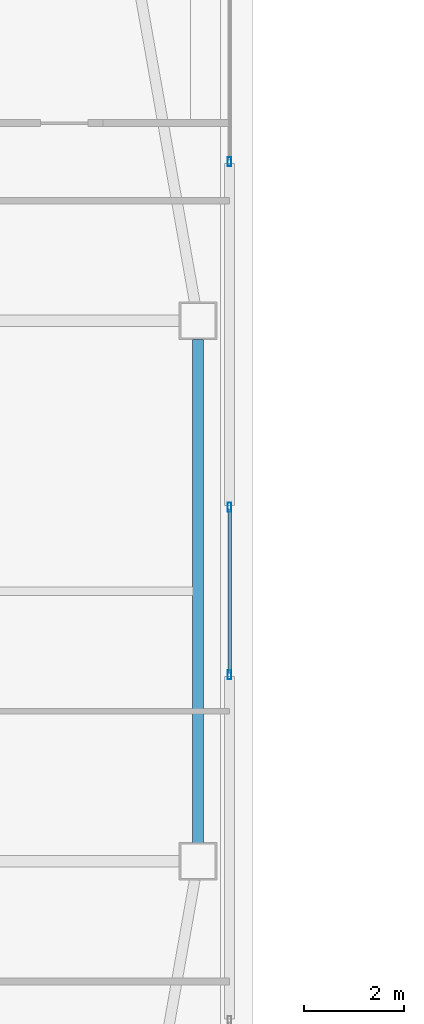
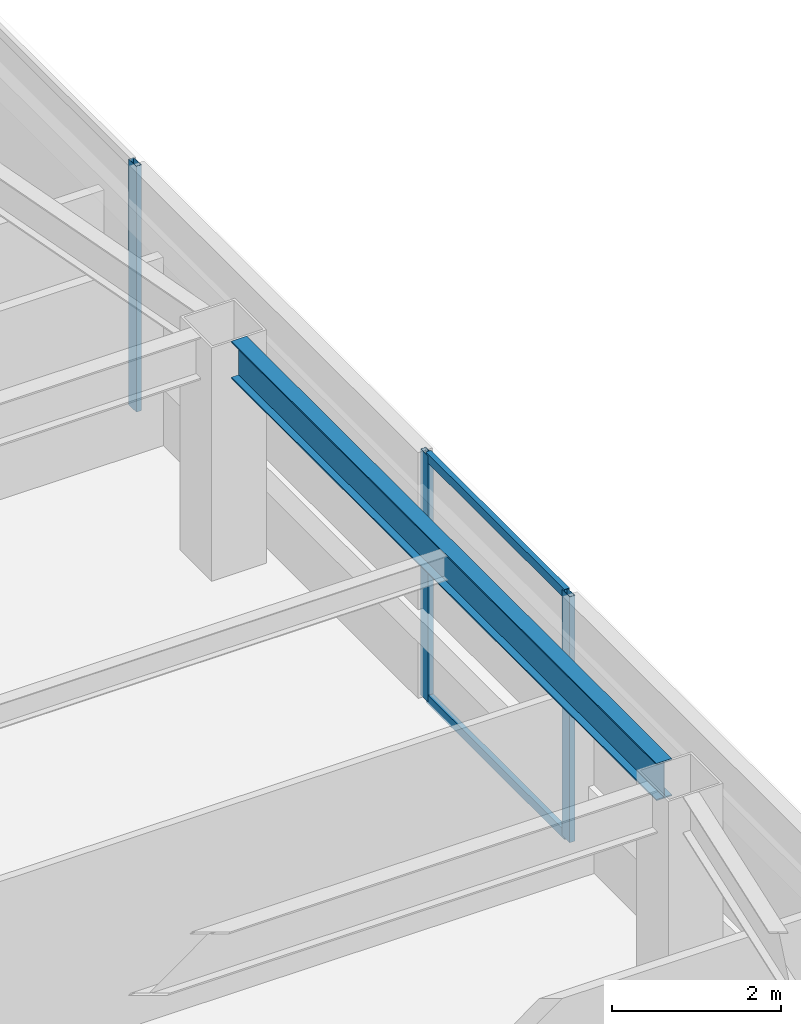
# One storey, part 12 of 44: 5 members, 1 beam, 2 elements without a shape of their own.
"""IFC4 building model written with IfcOpenShell, lengths in metres."""

from ifc_helpers import new_model, si_unit, direction, frame, origin, origin_2d, place, context, subcontext, project, spatial, hollow_rectangle, i_section, extrude, material, material_profile, profile_set, type_object, element, aggregate, save


model = new_model("IFC4")

# Units and contexts
model_context = context("Model", 3, precision=1e-05, world=origin(), true_north=direction((0.0, 1.0)))
body_context = subcontext(model_context, "Body", "Model", "MODEL_VIEW")
ifc_project = project(units=[si_unit("LENGTHUNIT", "METRE"), si_unit("AREAUNIT", "SQUARE_METRE"), si_unit("VOLUMEUNIT", "CUBIC_METRE"), si_unit("PLANEANGLEUNIT", "RADIAN"), si_unit("MASSUNIT", "GRAM", prefix="KILO")], contexts=[model_context])

# Site, building, storey
site_placement = place(None, origin())
site = spatial("IfcSite", under=ifc_project, at=site_placement, CompositionType="ELEMENT")
building_placement = place(site_placement, origin())
building = spatial("IfcBuilding", under=site, at=building_placement, Name="Tashvorn Skyway Center", CompositionType="ELEMENT")
storey_placement = place(building_placement, frame((0.0, 0.0, 181.85009765625)))
storey = spatial("IfcBuildingStorey", under=building, at=storey_placement, Name="L49", CompositionType="ELEMENT", Elevation=181.85009765625)

# Beam
ifc_material_1 = material(Name="Steel ASTM A992 Grade 50", Category="steel")
ifc_material_profile_1 = material_profile(ifc_material_1, i_section(OverallWidth=0.2109375, OverallDepth=0.5390625, WebThickness=0.01171875, FlangeThickness=0.018798828125, at=origin_2d()), Name="W21X73")
ifc_profile_set_1 = profile_set([ifc_material_profile_1], Name="Steel ASTM A992 Grade 50")
beam_type = type_object("IfcBeamType", Name="BM-SPANDREL-W21X73", PredefinedType="SPANDREL", material=ifc_profile_set_1)
beam_placement = place(storey_placement, frame((59.050048828125, 26.969970703125, 3.100341796875), z_axis=(0.0, 1.0, 0.0), x_axis=(-1.0, 0.0, 0.0)))
element("IfcBeam", 1, at=beam_placement, inside=storey, type_object=beam_type, Name="Tower 1 L49 Spandrel Beam 05", PredefinedType="SPANDREL", context=body_context, shape_type="SweptSolid", body=[
    extrude(i_section(OverallWidth=0.2109375, OverallDepth=0.5390625, WebThickness=0.01171875, FlangeThickness=0.018798828125, at=origin_2d()), origin(), (0.0, 0.0, 1.0), 10.06005859375),
])

# Curtain wall, member
ifc_material_2 = material(Name="Thermally broken bronze-anodized aluminium 6063-T6", Category="aluminium")
curtain_wall_type = type_object("IfcCurtainWallType", Name="CW-CW-Z4", PredefinedType="NOTDEFINED", material=ifc_material_2)
curtain_wall_1_placement = place(storey_placement, origin())
curtain_wall_1 = element("IfcCurtainWall", 2, at=curtain_wall_1_placement, inside=storey, type_object=curtain_wall_type, Name="Tower 1 L49 East Unitised Curtain Wall Glazing Group 1", PredefinedType="NOTDEFINED")
ifc_material_profile_2 = material_profile(ifc_material_2, hollow_rectangle(XDim=0.070068359375, YDim=0.179931640625, WallThickness=0.00390625, at=origin_2d()), Name="ALU-MULL-70x180")
ifc_profile_set_2 = profile_set([ifc_material_profile_2], Name="Thermally broken bronze-anodized aluminium 6063-T6")
member_type_1 = type_object("IfcMemberType", Name="CWM-CW-Z4", PredefinedType="MULLION", material=ifc_profile_set_2)
member_1_placement = place(storey_placement, frame((59.679931640625, 40.579345703125, 0.0), z_axis=(0.0, 0.0, 1.0), x_axis=(1.0, 0.0, 0.0)))
member_1 = element("IfcMember", 3, at=member_1_placement, type_object=member_type_1, Name="CW-Z4 mullion 3", PredefinedType="MULLION", context=body_context, shape_type="SweptSolid", body=[
    extrude(hollow_rectangle(XDim=0.070068359375, YDim=0.179931640625, WallThickness=0.00390625, at=origin_2d()), origin(), (0.0, 0.0, 1.0), 3.5498046875),
])
aggregate(curtain_wall_1, [member_1])

# Curtain wall, members
curtain_wall_2_placement = place(storey_placement, origin())
curtain_wall_2 = element("IfcCurtainWall", 4, at=curtain_wall_2_placement, inside=storey, type_object=curtain_wall_type, Name="Tower 1 L49 East Unitised Curtain Wall Glazing Group 2", PredefinedType="NOTDEFINED")
member_2_placement = place(storey_placement, frame((59.679931640625, 33.673828125, 0.0), z_axis=(0.0, 0.0, 1.0), x_axis=(1.0, 0.0, 0.0)))
member_2 = element("IfcMember", 5, at=member_2_placement, type_object=member_type_1, Name="CW-Z4 mullion 1", PredefinedType="MULLION", context=body_context, shape_type="SweptSolid", body=[
    extrude(hollow_rectangle(XDim=0.070068359375, YDim=0.179931640625, WallThickness=0.00390625, at=origin_2d()), origin(), (0.0, 0.0, 1.0), 3.5498046875),
])
member_3_placement = place(storey_placement, frame((59.679931640625, 30.326171875, 0.0), z_axis=(0.0, 0.0, 1.0), x_axis=(1.0, 0.0, 0.0)))
member_3 = element("IfcMember", 6, at=member_3_placement, type_object=member_type_1, Name="CW-Z4 mullion 2", PredefinedType="MULLION", context=body_context, shape_type="SweptSolid", body=[
    extrude(hollow_rectangle(XDim=0.070068359375, YDim=0.179931640625, WallThickness=0.00390625, at=origin_2d()), origin(), (0.0, 0.0, 1.0), 3.5498046875),
])
ifc_material_profile_3 = material_profile(ifc_material_2, hollow_rectangle(XDim=0.070068359375, YDim=0.1298828125, WallThickness=0.00390625, at=origin_2d()), Name="ALU-TRAN-70x130")
ifc_profile_set_3 = profile_set([ifc_material_profile_3], Name="Thermally broken bronze-anodized aluminium 6063-T6")
member_type_2 = type_object("IfcMemberType", Name="CWT-CW-Z4", PredefinedType="USERDEFINED", material=ifc_profile_set_3)
member_4_placement = place(storey_placement, frame((59.679931640625, 33.638916015625, 0.034912109375), z_axis=(0.0, -1.0, 0.0), x_axis=(1.0, 0.0, 0.0)))
member_4 = element("IfcMember", 7, at=member_4_placement, type_object=member_type_2, Name="CW-Z4 transom 1.1", ObjectType="TRANSOM", PredefinedType="USERDEFINED", context=body_context, shape_type="SweptSolid", body=[
    extrude(hollow_rectangle(XDim=0.070068359375, YDim=0.1298828125, WallThickness=0.00390625, at=origin_2d()), origin(), (0.0, 0.0, 1.0), 3.27783203125),
])
member_5_placement = place(storey_placement, frame((59.679931640625, 33.638916015625, 3.514892578125), z_axis=(0.0, -1.0, 0.0), x_axis=(1.0, 0.0, 0.0)))
member_5 = element("IfcMember", 8, at=member_5_placement, type_object=member_type_2, Name="CW-Z4 transom 1.2", ObjectType="TRANSOM", PredefinedType="USERDEFINED", context=body_context, shape_type="SweptSolid", body=[
    extrude(hollow_rectangle(XDim=0.070068359375, YDim=0.1298828125, WallThickness=0.00390625, at=origin_2d()), origin(), (0.0, 0.0, 1.0), 3.27783203125),
])
aggregate(curtain_wall_2, [member_2, member_3, member_4, member_5])

save(model, "model.ifc")
